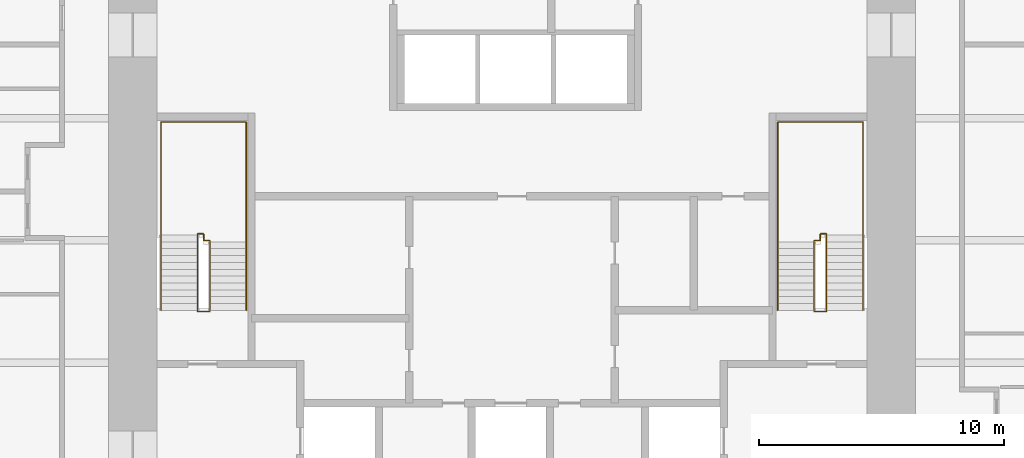
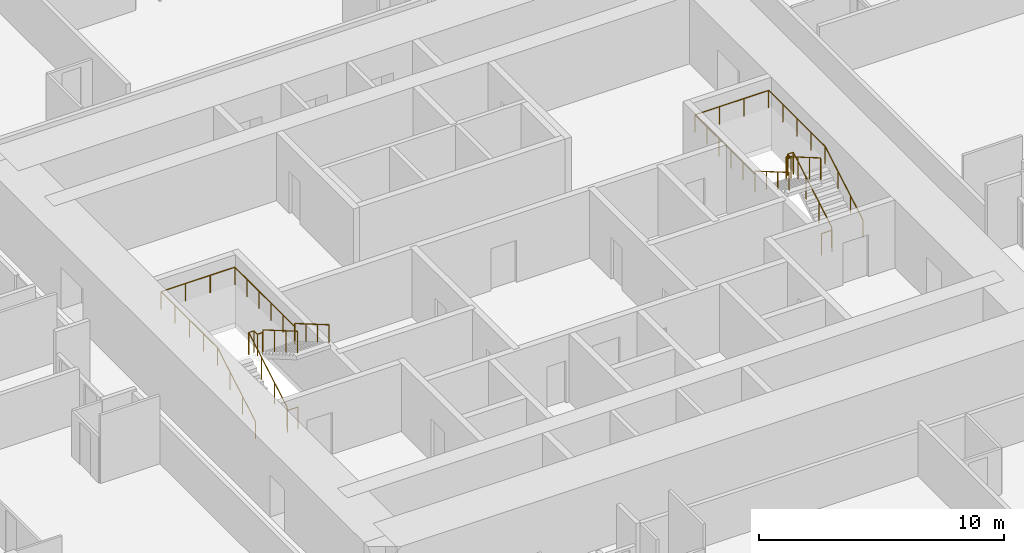
# One storey, part 17 of 17: 4 railings.
"""IFC4 building model written with IfcOpenShell, lengths in metres."""

from ifc_helpers import new_model, si_unit, direction, frame, origin, origin_2d, place, context, subcontext, project, spatial, circle, extrude, material, type_object, element, save


model = new_model("IFC4")

# Units and contexts
model_context = context("Model", 3, precision=1e-05, world=origin(), true_north=direction((0.0, 1.0)))
body_context = subcontext(model_context, "Body", "Model", "MODEL_VIEW")
ifc_project = project(units=[si_unit("LENGTHUNIT", "METRE"), si_unit("AREAUNIT", "SQUARE_METRE"), si_unit("VOLUMEUNIT", "CUBIC_METRE"), si_unit("PLANEANGLEUNIT", "RADIAN"), si_unit("MASSUNIT", "GRAM", prefix="KILO")], contexts=[model_context])

# Site, building, storey
site_placement = place(None, origin())
site = spatial("IfcSite", under=ifc_project, at=site_placement, CompositionType="ELEMENT")
building_placement = place(site_placement, origin())
building = spatial("IfcBuilding", under=site, at=building_placement, Name="Khuree Lantern Residences", CompositionType="ELEMENT")
storey_placement = place(building_placement, frame((0.0, 0.0, 96.0)))
storey = spatial("IfcBuildingStorey", under=building, at=storey_placement, Name="L24", CompositionType="ELEMENT", Elevation=96.0)

# Railings
ifc_material = material(Name="Steel S355", Category="steel")
railing_type_1 = type_object("IfcRailingType", Name="STAIR GUARD G1 1100", PredefinedType="GUARDRAIL", material=ifc_material)
railing_1_placement = place(storey_placement, frame((-12.35009765625, -2.909912109375, 0.0)))
element("IfcRailing", 1, at=railing_1_placement, inside=storey, type_object=railing_type_1, Name="Stair ST1 guard", PredefinedType="GUARDRAIL", context=body_context, shape_type="SweptSolid", body=[
    extrude(circle(Radius=0.02392578125, at=origin_2d()), frame((0.0, 0.0, 1.076171875), z_axis=(-1.0, 0.0, 0.0), x_axis=(0.0, -1.0, 0.0)), (0.0, 0.0, 1.0), 0.5),
    extrude(circle(Radius=0.02392578125, at=origin_2d()), frame((-0.5, 0.0, 1.076171875), z_axis=(0.0, 0.292073035251, 0.95639601739), x_axis=(-1.0, 0.0, 0.0)), (0.0, 0.0, 1.0), 0.17041015625),
    extrude(circle(Radius=0.02392578125, at=origin_2d()), frame((-0.5, 0.0498046875, 1.2392578125), z_axis=(0.0, 0.864176135923, 0.503189433615), x_axis=(-1.0, 0.0, 0.0)), (0.0, 0.0, 1.0), 3.564208984375),
    extrude(circle(Radius=0.02392578125, at=origin_2d()), frame((-0.5, 3.1298828125, 3.03271484375), z_axis=(0.0, 1.0, 0.0), x_axis=(-1.0, 0.0, 0.0)), (0.0, 0.0, 1.0), 0.050048828125),
    extrude(circle(Radius=0.02392578125, at=origin_2d()), frame((-0.5, 3.179931640625, 3.03271484375), z_axis=(1.0, 0.0, 0.0), x_axis=(0.0, 1.0, 0.0)), (0.0, 0.0, 1.0), 0.25),
    extrude(circle(Radius=0.02392578125, at=origin_2d()), frame((-0.25, 3.179931640625, 3.03271484375), z_axis=(0.0, -1.0, 0.0), x_axis=(1.0, 0.0, 0.0)), (0.0, 0.0, 1.0), 0.280029296875),
    extrude(circle(Radius=0.02392578125, at=origin_2d()), frame((-0.25, 2.89990234375, 3.03271484375), z_axis=(1.0, 0.0, 0.0), x_axis=(0.0, 1.0, 0.0)), (0.0, 0.0, 1.0), 0.25),
    extrude(circle(Radius=0.02392578125, at=origin_2d()), frame((0.0, 2.89990234375, 3.03271484375), z_axis=(0.0, -0.293381807449, 0.955995353053), x_axis=(1.0, 0.0, 0.0)), (0.0, 0.0, 1.0), 0.170654296875),
    extrude(circle(Radius=0.02392578125, at=origin_2d()), frame((0.0, 2.849853515625, 3.19580078125), z_axis=(0.0, -0.864180358799, 0.503182181189), x_axis=(1.0, 0.0, 0.0)), (0.0, 0.0, 1.0), 3.240234375),
    extrude(circle(Radius=0.02099609375, at=origin_2d()), origin(), (0.0, 0.0, 1.0), 1.052001953125),
    extrude(circle(Radius=0.02099609375, at=origin_2d()), frame((-0.5, 0.0, 0.0)), (0.0, 0.0, 1.0), 1.052001953125),
    extrude(circle(Radius=0.02099609375, at=origin_2d()), frame((-0.5, 0.0498046875, 0.1630859375)), (0.0, 0.0, 1.0), 1.052001953125),
    extrude(circle(Radius=0.02099609375, at=origin_2d()), frame((-0.5, 1.076416015625, 0.760986328125)), (0.0, 0.0, 1.0), 1.052001953125),
    extrude(circle(Radius=0.02099609375, at=origin_2d()), frame((-0.5, 2.103271484375, 1.358642578125)), (0.0, 0.0, 1.0), 1.052001953125),
    extrude(circle(Radius=0.02099609375, at=origin_2d()), frame((-0.5, 3.1298828125, 1.95654296875)), (0.0, 0.0, 1.0), 1.052001953125),
    extrude(circle(Radius=0.02099609375, at=origin_2d()), frame((-0.5, 3.179931640625, 1.95654296875)), (0.0, 0.0, 1.0), 1.052001953125),
    extrude(circle(Radius=0.02099609375, at=origin_2d()), frame((-0.25, 3.179931640625, 1.95654296875)), (0.0, 0.0, 1.0), 1.052001953125),
    extrude(circle(Radius=0.02099609375, at=origin_2d()), frame((-0.25, 2.89990234375, 1.95654296875)), (0.0, 0.0, 1.0), 1.052001953125),
    extrude(circle(Radius=0.02099609375, at=origin_2d()), frame((0.0, 2.89990234375, 1.95654296875)), (0.0, 0.0, 1.0), 1.052001953125),
    extrude(circle(Radius=0.02099609375, at=origin_2d()), frame((0.0, 2.849853515625, 2.11962890625)), (0.0, 0.0, 1.0), 1.052001953125),
    extrude(circle(Radius=0.02099609375, at=origin_2d()), frame((0.0, 1.91650390625, 2.6630859375)), (0.0, 0.0, 1.0), 1.052001953125),
    extrude(circle(Radius=0.02099609375, at=origin_2d()), frame((0.0, 0.983154296875, 3.20654296875)), (0.0, 0.0, 1.0), 1.052001953125),
    extrude(circle(Radius=0.02099609375, at=origin_2d()), frame((0.0, 0.0498046875, 3.75)), (0.0, 0.0, 1.0), 1.052001953125),
])
railing_2_placement = place(storey_placement, frame((12.35009765625, -2.909912109375, 0.0)))
element("IfcRailing", 2, at=railing_2_placement, inside=storey, type_object=railing_type_1, Name="Stair ST2 guard", PredefinedType="GUARDRAIL", context=body_context, shape_type="SweptSolid", body=[
    extrude(circle(Radius=0.02392578125, at=origin_2d()), frame((0.0, 0.0, 1.076171875), z_axis=(1.0, 0.0, 0.0), x_axis=(0.0, 1.0, 0.0)), (0.0, 0.0, 1.0), 0.5),
    extrude(circle(Radius=0.02392578125, at=origin_2d()), frame((0.5, 0.0, 1.076171875), z_axis=(0.0, 0.292073035251, 0.95639601739), x_axis=(-1.0, 0.0, 0.0)), (0.0, 0.0, 1.0), 0.17041015625),
    extrude(circle(Radius=0.02392578125, at=origin_2d()), frame((0.5, 0.0498046875, 1.2392578125), z_axis=(0.0, 0.864176135923, 0.503189433615), x_axis=(-1.0, 0.0, 0.0)), (0.0, 0.0, 1.0), 3.564208984375),
    extrude(circle(Radius=0.02392578125, at=origin_2d()), frame((0.5, 3.1298828125, 3.03271484375), z_axis=(0.0, 1.0, 0.0), x_axis=(-1.0, 0.0, 0.0)), (0.0, 0.0, 1.0), 0.050048828125),
    extrude(circle(Radius=0.02392578125, at=origin_2d()), frame((0.5, 3.179931640625, 3.03271484375), z_axis=(-1.0, 0.0, 0.0), x_axis=(0.0, -1.0, 0.0)), (0.0, 0.0, 1.0), 0.25),
    extrude(circle(Radius=0.02392578125, at=origin_2d()), frame((0.25, 3.179931640625, 3.03271484375), z_axis=(0.0, -1.0, 0.0), x_axis=(1.0, 0.0, 0.0)), (0.0, 0.0, 1.0), 0.280029296875),
    extrude(circle(Radius=0.02392578125, at=origin_2d()), frame((0.25, 2.89990234375, 3.03271484375), z_axis=(-1.0, 0.0, 0.0), x_axis=(0.0, -1.0, 0.0)), (0.0, 0.0, 1.0), 0.25),
    extrude(circle(Radius=0.02392578125, at=origin_2d()), frame((0.0, 2.89990234375, 3.03271484375), z_axis=(0.0, -0.293381807449, 0.955995353053), x_axis=(1.0, 0.0, 0.0)), (0.0, 0.0, 1.0), 0.170654296875),
    extrude(circle(Radius=0.02392578125, at=origin_2d()), frame((0.0, 2.849853515625, 3.19580078125), z_axis=(0.0, -0.864180358799, 0.503182181189), x_axis=(1.0, 0.0, 0.0)), (0.0, 0.0, 1.0), 3.240234375),
    extrude(circle(Radius=0.02099609375, at=origin_2d()), origin(), (0.0, 0.0, 1.0), 1.052001953125),
    extrude(circle(Radius=0.02099609375, at=origin_2d()), frame((0.5, 0.0, 0.0)), (0.0, 0.0, 1.0), 1.052001953125),
    extrude(circle(Radius=0.02099609375, at=origin_2d()), frame((0.5, 0.0498046875, 0.1630859375)), (0.0, 0.0, 1.0), 1.052001953125),
    extrude(circle(Radius=0.02099609375, at=origin_2d()), frame((0.5, 1.076416015625, 0.760986328125)), (0.0, 0.0, 1.0), 1.052001953125),
    extrude(circle(Radius=0.02099609375, at=origin_2d()), frame((0.5, 2.103271484375, 1.358642578125)), (0.0, 0.0, 1.0), 1.052001953125),
    extrude(circle(Radius=0.02099609375, at=origin_2d()), frame((0.5, 3.1298828125, 1.95654296875)), (0.0, 0.0, 1.0), 1.052001953125),
    extrude(circle(Radius=0.02099609375, at=origin_2d()), frame((0.5, 3.179931640625, 1.95654296875)), (0.0, 0.0, 1.0), 1.052001953125),
    extrude(circle(Radius=0.02099609375, at=origin_2d()), frame((0.25, 3.179931640625, 1.95654296875)), (0.0, 0.0, 1.0), 1.052001953125),
    extrude(circle(Radius=0.02099609375, at=origin_2d()), frame((0.25, 2.89990234375, 1.95654296875)), (0.0, 0.0, 1.0), 1.052001953125),
    extrude(circle(Radius=0.02099609375, at=origin_2d()), frame((0.0, 2.89990234375, 1.95654296875)), (0.0, 0.0, 1.0), 1.052001953125),
    extrude(circle(Radius=0.02099609375, at=origin_2d()), frame((0.0, 2.849853515625, 2.11962890625)), (0.0, 0.0, 1.0), 1.052001953125),
    extrude(circle(Radius=0.02099609375, at=origin_2d()), frame((0.0, 1.91650390625, 2.6630859375)), (0.0, 0.0, 1.0), 1.052001953125),
    extrude(circle(Radius=0.02099609375, at=origin_2d()), frame((0.0, 0.983154296875, 3.20654296875)), (0.0, 0.0, 1.0), 1.052001953125),
    extrude(circle(Radius=0.02099609375, at=origin_2d()), frame((0.0, 0.0498046875, 3.75)), (0.0, 0.0, 1.0), 1.052001953125),
])
railing_type_2 = type_object("IfcRailingType", Name="STAIR HANDRAIL H1 900", PredefinedType="HANDRAIL", material=ifc_material)
railing_3_placement = place(storey_placement, frame((-14.340087890625, -2.860107421875, 0.1630859375)))
element("IfcRailing", 3, at=railing_3_placement, inside=storey, type_object=railing_type_2, Name="Stair ST1 handrail", PredefinedType="HANDRAIL", context=body_context, shape_type="SweptSolid", body=[
    extrude(circle(Radius=0.02392578125, at=origin_2d()), frame((0.0, 0.0, 0.8759765625), z_axis=(0.0, 0.864176135923, 0.503189433615), x_axis=(-1.0, 0.0, 0.0)), (0.0, 0.0, 1.0), 3.564208984375),
    extrude(circle(Radius=0.02392578125, at=origin_2d()), frame((0.0, 3.080078125, 2.66943359375), z_axis=(0.0, 1.0, 0.0), x_axis=(-1.0, 0.0, 0.0)), (0.0, 0.0, 1.0), 4.6201171875),
    extrude(circle(Radius=0.02392578125, at=origin_2d()), frame((0.0, 7.7001953125, 2.66943359375), z_axis=(1.0, 0.0, 0.0), x_axis=(0.0, 1.0, 0.0)), (0.0, 0.0, 1.0), 3.47998046875),
    extrude(circle(Radius=0.02392578125, at=origin_2d()), frame((3.47998046875, 7.7001953125, 2.66943359375), z_axis=(0.0, -1.0, 0.0), x_axis=(1.0, 0.0, 0.0)), (0.0, 0.0, 1.0), 4.900146484375),
    extrude(circle(Radius=0.02392578125, at=origin_2d()), frame((3.47998046875, 2.800048828125, 2.66943359375), z_axis=(0.0, 0.0, 1.0), x_axis=(1.0, 0.0, 0.0)), (0.0, 0.0, 1.0), 0.1630859375),
    extrude(circle(Radius=0.02392578125, at=origin_2d()), frame((3.47998046875, 2.800048828125, 2.83251953125), z_axis=(0.0, -0.864180358799, 0.503182181189), x_axis=(1.0, 0.0, 0.0)), (0.0, 0.0, 1.0), 3.240234375),
    extrude(circle(Radius=0.02099609375, at=origin_2d()), origin(), (0.0, 0.0, 1.0), 0.851806640625),
    extrude(circle(Radius=0.02099609375, at=origin_2d()), frame((0.0, 1.026611328125, 0.597900390625)), (0.0, 0.0, 1.0), 0.851806640625),
    extrude(circle(Radius=0.02099609375, at=origin_2d()), frame((0.0, 2.053466796875, 1.195556640625)), (0.0, 0.0, 1.0), 0.851806640625),
    extrude(circle(Radius=0.02099609375, at=origin_2d()), frame((0.0, 3.080078125, 1.79345703125)), (0.0, 0.0, 1.0), 0.851806640625),
    extrude(circle(Radius=0.02099609375, at=origin_2d()), frame((0.0, 4.235107421875, 1.79345703125)), (0.0, 0.0, 1.0), 0.851806640625),
    extrude(circle(Radius=0.02099609375, at=origin_2d()), frame((0.0, 5.39013671875, 1.79345703125)), (0.0, 0.0, 1.0), 0.851806640625),
    extrude(circle(Radius=0.02099609375, at=origin_2d()), frame((0.0, 6.545166015625, 1.79345703125)), (0.0, 0.0, 1.0), 0.851806640625),
    extrude(circle(Radius=0.02099609375, at=origin_2d()), frame((0.0, 7.7001953125, 1.79345703125)), (0.0, 0.0, 1.0), 0.851806640625),
    extrude(circle(Radius=0.02099609375, at=origin_2d()), frame((1.159912109375, 7.7001953125, 1.79345703125)), (0.0, 0.0, 1.0), 0.851806640625),
    extrude(circle(Radius=0.02099609375, at=origin_2d()), frame((2.320068359375, 7.7001953125, 1.79345703125)), (0.0, 0.0, 1.0), 0.851806640625),
    extrude(circle(Radius=0.02099609375, at=origin_2d()), frame((3.47998046875, 7.7001953125, 1.79345703125)), (0.0, 0.0, 1.0), 0.851806640625),
    extrude(circle(Radius=0.02099609375, at=origin_2d()), frame((3.47998046875, 6.72021484375, 1.79345703125)), (0.0, 0.0, 1.0), 0.851806640625),
    extrude(circle(Radius=0.02099609375, at=origin_2d()), frame((3.47998046875, 5.740234375, 1.79345703125)), (0.0, 0.0, 1.0), 0.851806640625),
    extrude(circle(Radius=0.02099609375, at=origin_2d()), frame((3.47998046875, 4.760009765625, 1.79345703125)), (0.0, 0.0, 1.0), 0.851806640625),
    extrude(circle(Radius=0.02099609375, at=origin_2d()), frame((3.47998046875, 3.780029296875, 1.79345703125)), (0.0, 0.0, 1.0), 0.851806640625),
    extrude(circle(Radius=0.02099609375, at=origin_2d()), frame((3.47998046875, 2.800048828125, 1.79345703125)), (0.0, 0.0, 1.0), 0.851806640625),
    extrude(circle(Radius=0.02099609375, at=origin_2d()), frame((3.47998046875, 2.800048828125, 1.95654296875)), (0.0, 0.0, 1.0), 0.851806640625),
    extrude(circle(Radius=0.02099609375, at=origin_2d()), frame((3.47998046875, 1.86669921875, 2.5)), (0.0, 0.0, 1.0), 0.851806640625),
    extrude(circle(Radius=0.02099609375, at=origin_2d()), frame((3.47998046875, 0.933349609375, 3.04345703125)), (0.0, 0.0, 1.0), 0.851806640625),
    extrude(circle(Radius=0.02099609375, at=origin_2d()), frame((3.47998046875, 0.0, 3.5869140625)), (0.0, 0.0, 1.0), 0.851806640625),
])
railing_4_placement = place(storey_placement, frame((14.340087890625, -2.860107421875, 0.1630859375)))
element("IfcRailing", 4, at=railing_4_placement, inside=storey, type_object=railing_type_2, Name="Stair ST2 handrail", PredefinedType="HANDRAIL", context=body_context, shape_type="SweptSolid", body=[
    extrude(circle(Radius=0.02392578125, at=origin_2d()), frame((0.0, 0.0, 0.8759765625), z_axis=(0.0, 0.864176135923, 0.503189433615), x_axis=(-1.0, 0.0, 0.0)), (0.0, 0.0, 1.0), 3.564208984375),
    extrude(circle(Radius=0.02392578125, at=origin_2d()), frame((0.0, 3.080078125, 2.66943359375), z_axis=(0.0, 1.0, 0.0), x_axis=(-1.0, 0.0, 0.0)), (0.0, 0.0, 1.0), 4.6201171875),
    extrude(circle(Radius=0.02392578125, at=origin_2d()), frame((0.0, 7.7001953125, 2.66943359375), z_axis=(-1.0, 0.0, 0.0), x_axis=(0.0, -1.0, 0.0)), (0.0, 0.0, 1.0), 3.47998046875),
    extrude(circle(Radius=0.02392578125, at=origin_2d()), frame((-3.47998046875, 7.7001953125, 2.66943359375), z_axis=(0.0, -1.0, 0.0), x_axis=(1.0, 0.0, 0.0)), (0.0, 0.0, 1.0), 4.900146484375),
    extrude(circle(Radius=0.02392578125, at=origin_2d()), frame((-3.47998046875, 2.800048828125, 2.66943359375), z_axis=(0.0, 0.0, 1.0), x_axis=(1.0, 0.0, 0.0)), (0.0, 0.0, 1.0), 0.1630859375),
    extrude(circle(Radius=0.02392578125, at=origin_2d()), frame((-3.47998046875, 2.800048828125, 2.83251953125), z_axis=(0.0, -0.864180358799, 0.503182181189), x_axis=(1.0, 0.0, 0.0)), (0.0, 0.0, 1.0), 3.240234375),
    extrude(circle(Radius=0.02099609375, at=origin_2d()), origin(), (0.0, 0.0, 1.0), 0.851806640625),
    extrude(circle(Radius=0.02099609375, at=origin_2d()), frame((0.0, 1.026611328125, 0.597900390625)), (0.0, 0.0, 1.0), 0.851806640625),
    extrude(circle(Radius=0.02099609375, at=origin_2d()), frame((0.0, 2.053466796875, 1.195556640625)), (0.0, 0.0, 1.0), 0.851806640625),
    extrude(circle(Radius=0.02099609375, at=origin_2d()), frame((0.0, 3.080078125, 1.79345703125)), (0.0, 0.0, 1.0), 0.851806640625),
    extrude(circle(Radius=0.02099609375, at=origin_2d()), frame((0.0, 4.235107421875, 1.79345703125)), (0.0, 0.0, 1.0), 0.851806640625),
    extrude(circle(Radius=0.02099609375, at=origin_2d()), frame((0.0, 5.39013671875, 1.79345703125)), (0.0, 0.0, 1.0), 0.851806640625),
    extrude(circle(Radius=0.02099609375, at=origin_2d()), frame((0.0, 6.545166015625, 1.79345703125)), (0.0, 0.0, 1.0), 0.851806640625),
    extrude(circle(Radius=0.02099609375, at=origin_2d()), frame((0.0, 7.7001953125, 1.79345703125)), (0.0, 0.0, 1.0), 0.851806640625),
    extrude(circle(Radius=0.02099609375, at=origin_2d()), frame((-1.159912109375, 7.7001953125, 1.79345703125)), (0.0, 0.0, 1.0), 0.851806640625),
    extrude(circle(Radius=0.02099609375, at=origin_2d()), frame((-2.320068359375, 7.7001953125, 1.79345703125)), (0.0, 0.0, 1.0), 0.851806640625),
    extrude(circle(Radius=0.02099609375, at=origin_2d()), frame((-3.47998046875, 7.7001953125, 1.79345703125)), (0.0, 0.0, 1.0), 0.851806640625),
    extrude(circle(Radius=0.02099609375, at=origin_2d()), frame((-3.47998046875, 6.72021484375, 1.79345703125)), (0.0, 0.0, 1.0), 0.851806640625),
    extrude(circle(Radius=0.02099609375, at=origin_2d()), frame((-3.47998046875, 5.740234375, 1.79345703125)), (0.0, 0.0, 1.0), 0.851806640625),
    extrude(circle(Radius=0.02099609375, at=origin_2d()), frame((-3.47998046875, 4.760009765625, 1.79345703125)), (0.0, 0.0, 1.0), 0.851806640625),
    extrude(circle(Radius=0.02099609375, at=origin_2d()), frame((-3.47998046875, 3.780029296875, 1.79345703125)), (0.0, 0.0, 1.0), 0.851806640625),
    extrude(circle(Radius=0.02099609375, at=origin_2d()), frame((-3.47998046875, 2.800048828125, 1.79345703125)), (0.0, 0.0, 1.0), 0.851806640625),
    extrude(circle(Radius=0.02099609375, at=origin_2d()), frame((-3.47998046875, 2.800048828125, 1.95654296875)), (0.0, 0.0, 1.0), 0.851806640625),
    extrude(circle(Radius=0.02099609375, at=origin_2d()), frame((-3.47998046875, 1.86669921875, 2.5)), (0.0, 0.0, 1.0), 0.851806640625),
    extrude(circle(Radius=0.02099609375, at=origin_2d()), frame((-3.47998046875, 0.933349609375, 3.04345703125)), (0.0, 0.0, 1.0), 0.851806640625),
    extrude(circle(Radius=0.02099609375, at=origin_2d()), frame((-3.47998046875, 0.0, 3.5869140625)), (0.0, 0.0, 1.0), 0.851806640625),
])

save(model, "model.ifc")
